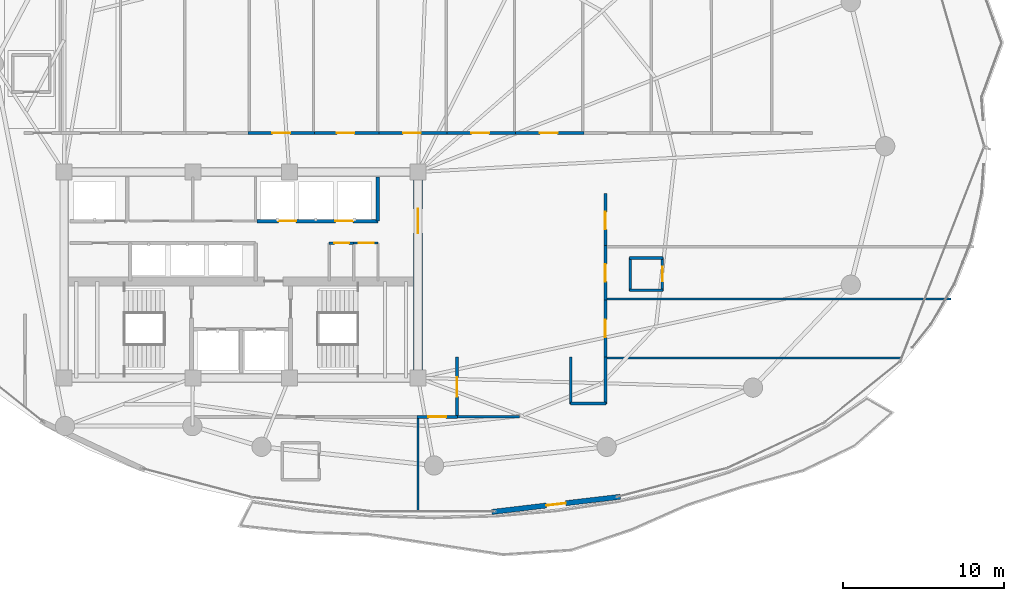
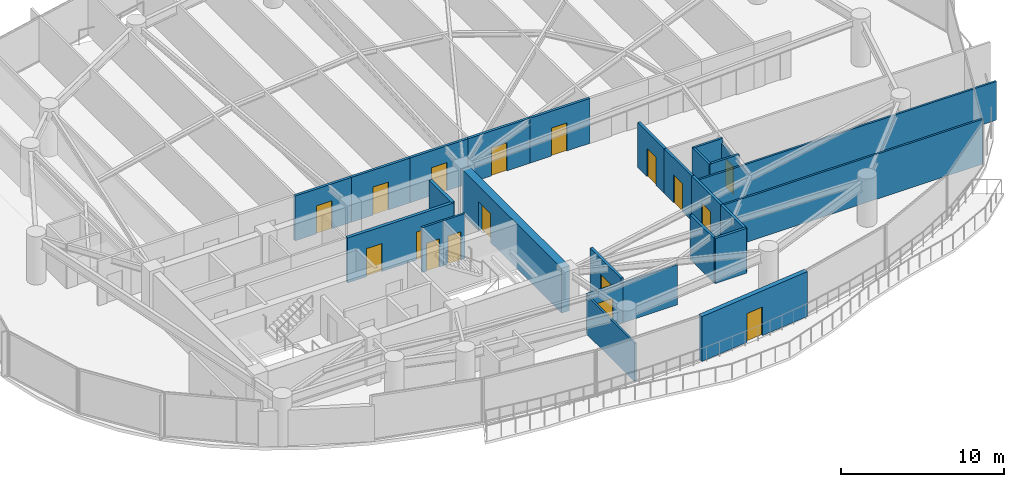
# One storey, part 27 of 34: 27 walls, 17 doors, 17 openings.
"""IFC4 building model written with IfcOpenShell, lengths in metres."""

from ifc_helpers import new_model, si_unit, direction, frame, frame_2d, origin, place, context, subcontext, project, spatial, rectangle, extrude, material, layer, layer_set, type_object, element, fill, save


model = new_model("IFC4")

# Units and contexts
model_context = context("Model", 3, precision=1e-05, world=origin(), true_north=direction((0.0, 1.0)))
body_context = subcontext(model_context, "Body", "Model", "MODEL_VIEW")
ifc_project = project(units=[si_unit("LENGTHUNIT", "METRE"), si_unit("AREAUNIT", "SQUARE_METRE"), si_unit("VOLUMEUNIT", "CUBIC_METRE"), si_unit("PLANEANGLEUNIT", "RADIAN"), si_unit("MASSUNIT", "GRAM", prefix="KILO")], contexts=[model_context])

# Site, building, storey
site_placement = place(None, origin())
site = spatial("IfcSite", under=ifc_project, at=site_placement, CompositionType="ELEMENT")
building_placement = place(site_placement, origin())
building = spatial("IfcBuilding", under=site, at=building_placement, Name="Kazevale Care Tower and Concert Hall", CompositionType="ELEMENT")
storey_placement = place(building_placement, frame((0.0, 0.0, 163.800048828125)))
storey = spatial("IfcBuildingStorey", under=building, at=storey_placement, Name="L43", CompositionType="ELEMENT", Elevation=163.800048828125)

# Wall, opening, door
ifc_material_1 = material(Name="Acoustic Gypsum on Steel Stud", Category="steel")
ifc_layer_1 = layer(ifc_material_1, 0.139892578125)
ifc_layer_set_1 = layer_set([ifc_layer_1], Name="Acoustic Gypsum on Steel Stud")
wall_type_1 = type_object("IfcWallType", Name="Acoustic Care & Suite Partition 140", PredefinedType="PARTITIONING", material=ifc_layer_set_1)
wall_1_placement = place(storey_placement, frame((40.0, 31.97998046875, 0.0), z_axis=(0.0, 0.0, 1.0), x_axis=(1.0, 0.0, 0.0)))
wall_1 = element("IfcWall", 1, at=wall_1_placement, inside=storey, type_object=wall_type_1, Name="wall:L43:ka_en2", PredefinedType="PARTITIONING", context=body_context, shape_type="SweptSolid", body=[
    extrude(rectangle(XDim=1.52001953125, YDim=0.139892578125, at=frame_2d((0.760009765625, 0.0))), origin(), (0.0, 0.0, 1.0), 3.35986328125),
])
opening_1_placement = place(wall_1_placement, frame((0.320068359375, 0.0, 0.0)))
opening_1 = element("IfcOpeningElement", 2, at=opening_1_placement, cuts=wall_1, Name="Opening ID-900", PredefinedType="OPENING", context=body_context, shape_type="SweptSolid", body=[
    extrude(rectangle(XDim=0.919921875, YDim=2.10009765625, at=frame_2d((0.4599609375, 1.050048828125))), frame((0.0, 0.079833984375, 0.0), z_axis=(0.0, -1.0, 0.0), x_axis=(1.0, 0.0, 0.0)), (0.0, 0.0, 1.0), 0.159912109375),
])
ifc_material_2 = material(Name="Oak Timber Fire Leaf", Category="wood")
door_type_1 = type_object("IfcDoorType", Name="Bathroom & Service Door 920x2100", OperationType="NOTDEFINED", PredefinedType="DOOR", material=ifc_material_2)
door_1_placement = place(opening_1_placement, origin())
door_1 = element("IfcDoor", 3, at=door_1_placement, inside=storey, type_object=door_type_1, Name="door:L43:d_kae2", OperationType="SINGLE_SWING_RIGHT", OverallHeight=2.10009765625, OverallWidth=0.919921875, PredefinedType="DOOR", context=body_context, shape_type="SweptSolid", body=[
    extrude(rectangle(XDim=0.919921875, YDim=2.10009765625, at=frame_2d((0.4599609375, 1.050048828125))), frame((0.0, 0.02490234375, 0.0), z_axis=(0.0, -1.0, 0.0), x_axis=(1.0, 0.0, 0.0)), (0.0, 0.0, 1.0), 0.050048828125),
])
fill(opening_1, door_1)

# Walls
wall_2_placement = place(storey_placement, frame((55.6201171875, 24.840087890625, 0.0), z_axis=(0.0, 0.0, 1.0), x_axis=(1.0, 0.0, 0.0)))
element("IfcWall", 4, at=wall_2_placement, inside=storey, type_object=wall_type_1, Name="wall:L43:auto_036", PredefinedType="PARTITIONING", context=body_context, shape_type="SweptSolid", body=[
    extrude(rectangle(XDim=18.44482421875, YDim=0.139892578125, at=frame_2d((9.222412109375, 0.0))), origin(), (0.0, 0.0, 1.0), 3.35986328125),
])
wall_3_placement = place(storey_placement, frame((50.31494140625, 21.175048828125, 0.0), z_axis=(0.0, 0.0, 1.0), x_axis=(-1.0, 0.0, 0.0)))
element("IfcWall", 5, at=wall_3_placement, inside=storey, type_object=wall_type_1, Name="wall:L43:auto_037", PredefinedType="PARTITIONING", context=body_context, shape_type="SweptSolid", body=[
    extrude(rectangle(XDim=3.919921875, YDim=0.139892578125, at=frame_2d((1.9599609375, 0.0))), origin(), (0.0, 0.0, 1.0), 2.995849609375),
])
wall_4_placement = place(storey_placement, frame((55.6201171875, 28.5, 0.0), z_axis=(0.0, 0.0, 1.0), x_axis=(1.0, 0.0, 0.0)))
element("IfcWall", 6, at=wall_4_placement, inside=storey, type_object=wall_type_1, Name="wall:L43:auto_038", PredefinedType="PARTITIONING", context=body_context, shape_type="SweptSolid", body=[
    extrude(rectangle(XDim=21.519775390625, YDim=0.139892578125, at=frame_2d((10.759765625, 0.0))), origin(), (0.0, 0.0, 1.0), 2.889892578125),
])
wall_5_placement = place(storey_placement, frame((44.0, 21.205078125, 0.0), z_axis=(0.0, 0.0, 1.0), x_axis=(0.0, -1.0, 0.0)))
element("IfcWall", 7, at=wall_5_placement, inside=storey, type_object=wall_type_1, Name="wall:L43:auto_040", PredefinedType="PARTITIONING", context=body_context, shape_type="SweptSolid", body=[
    extrude(rectangle(XDim=5.906005859375, YDim=0.139892578125, at=frame_2d((2.953125, 0.0))), origin(), (0.0, 0.0, 1.0), 2.889892578125),
])

# Wall, opening, door
ifc_material_3 = material(Name="Concrete C60", Category="concrete")
ifc_layer_2 = layer(ifc_material_3, 0.550048828125)
ifc_layer_set_2 = layer_set([ifc_layer_2], Name="Concrete C60")
wall_type_2 = type_object("IfcWallType", Name="Core Shear Wall 550 C60", PredefinedType="SHEAR", material=ifc_layer_set_2)
wall_6_placement = place(storey_placement, frame((44.0, 23.875, 0.0), z_axis=(0.0, 0.0, 1.0), x_axis=(0.0, 1.0, 0.0)))
wall_6 = element("IfcWall", 8, at=wall_6_placement, inside=storey, type_object=wall_type_2, Name="wall:L43:core:E", PredefinedType="SHEAR", context=body_context, shape_type="SweptSolid", body=[
    extrude(rectangle(XDim=12.25, YDim=0.550048828125, at=frame_2d((6.125, 0.0))), origin(), (0.0, 0.0, 1.0), 3.35986328125),
])
opening_2_placement = place(wall_6_placement, frame((8.72509765625, 0.0, 0.0)))
opening_2 = element("IfcOpeningElement", 9, at=opening_2_placement, cuts=wall_6, Name="Opening FD-60D", PredefinedType="OPENING", context=body_context, shape_type="SweptSolid", body=[
    extrude(rectangle(XDim=1.5, YDim=2.14990234375, at=frame_2d((0.75, 1.074951171875))), frame((0.0, 0.284912109375, 0.0), z_axis=(0.0, -1.0, 0.0), x_axis=(1.0, 0.0, 0.0)), (0.0, 0.0, 1.0), 0.570068359375),
])
door_type_2 = type_object("IfcDoorType", Name="Double Lobby & Auditorium Fire Door 1500x2150", OperationType="NOTDEFINED", PredefinedType="DOOR", material=ifc_material_2)
door_2_placement = place(opening_2_placement, origin())
door_2 = element("IfcDoor", 10, at=door_2_placement, inside=storey, type_object=door_type_2, Name="door:L43:core_east_out", OperationType="DOUBLE_DOOR_SINGLE_SWING", OverallHeight=2.14990234375, OverallWidth=1.5, PredefinedType="DOOR", context=body_context, shape_type="SweptSolid", body=[
    extrude(rectangle(XDim=1.5, YDim=2.14990234375, at=frame_2d((0.75, 1.074951171875))), frame((0.0, 0.02490234375, 0.0), z_axis=(0.0, -1.0, 0.0), x_axis=(1.0, 0.0, 0.0)), (0.0, 0.0, 1.0), 0.050048828125),
])
fill(opening_2, door_2)

# Wall, openings, doors
ifc_material_4 = material(Name="Concrete C40", Category="concrete")
ifc_layer_3 = layer(ifc_material_4, 0.219970703125)
ifc_layer_set_3 = layer_set([ifc_layer_3], Name="Concrete C40")
wall_type_3 = type_object("IfcWallType", Name="Elevator Hoistway Shaft Wall 220", PredefinedType="SOLIDWALL", material=ifc_layer_set_3)
wall_7_placement = place(storey_placement, frame((33.97998046875, 33.35009765625, 0.0), z_axis=(0.0, 0.0, 1.0), x_axis=(1.0, 0.0, 0.0)))
wall_7 = element("IfcWall", 11, at=wall_7_placement, inside=storey, type_object=wall_type_3, Name="wall:L43:c_pm_s", PredefinedType="SOLIDWALL", context=body_context, shape_type="SweptSolid", body=[
    extrude(rectangle(XDim=7.5400390625, YDim=0.219970703125, at=frame_2d((3.77001953125, 0.0))), origin(), (0.0, 0.0, 1.0), 3.35986328125),
])
opening_3_placement = place(wall_7_placement, frame((1.3349609375, 0.0, 0.0)))
opening_3 = element("IfcOpeningElement", 12, at=opening_3_placement, cuts=wall_7, Name="Opening LD-PAX", PredefinedType="OPENING", context=body_context, shape_type="SweptSolid", body=[
    extrude(rectangle(XDim=1.10009765625, YDim=2.10009765625, at=frame_2d((0.550048828125, 1.050048828125))), frame((0.0, 0.119873046875, 0.0), z_axis=(0.0, -1.0, 0.0), x_axis=(1.0, 0.0, 0.0)), (0.0, 0.0, 1.0), 0.239990234375),
])
opening_4_placement = place(wall_7_placement, frame((4.87890625, 0.0, 0.0)))
opening_4 = element("IfcOpeningElement", 13, at=opening_4_placement, cuts=wall_7, Name="Opening LD-PAX", PredefinedType="OPENING", context=body_context, shape_type="SweptSolid", body=[
    extrude(rectangle(XDim=1.10009765625, YDim=2.10009765625, at=frame_2d((0.550048828125, 1.050048828125))), frame((0.0, 0.119873046875, 0.0), z_axis=(0.0, -1.0, 0.0), x_axis=(1.0, 0.0, 0.0)), (0.0, 0.0, 1.0), 0.239990234375),
])
ifc_material_5 = material(Name="Stainless Steel 316", Category="steel")
door_type_3 = type_object("IfcDoorType", Name="Passenger Lift Sliding Landing Door 1100x2100", OperationType="NOTDEFINED", PredefinedType="DOOR", material=ifc_material_5)
door_3_placement = place(opening_3_placement, origin())
door_3 = element("IfcDoor", 14, at=door_3_placement, inside=storey, type_object=door_type_3, Name="door:L43:ld_pm1", OperationType="SLIDING_TO_LEFT", OverallHeight=2.10009765625, OverallWidth=1.10009765625, PredefinedType="DOOR", context=body_context, shape_type="SweptSolid", body=[
    extrude(rectangle(XDim=1.10009765625, YDim=2.10009765625, at=frame_2d((0.550048828125, 1.050048828125))), frame((0.0, 0.02490234375, 0.0), z_axis=(0.0, -1.0, 0.0), x_axis=(1.0, 0.0, 0.0)), (0.0, 0.0, 1.0), 0.050048828125),
])
fill(opening_3, door_3)
door_4_placement = place(opening_4_placement, origin())
door_4 = element("IfcDoor", 15, at=door_4_placement, inside=storey, type_object=door_type_3, Name="door:L43:ld_pm2", OperationType="SLIDING_TO_RIGHT", OverallHeight=2.10009765625, OverallWidth=1.10009765625, PredefinedType="DOOR", context=body_context, shape_type="SweptSolid", body=[
    extrude(rectangle(XDim=1.10009765625, YDim=2.10009765625, at=frame_2d((0.550048828125, 1.050048828125))), frame((0.0, 0.02490234375, 0.0), z_axis=(0.0, -1.0, 0.0), x_axis=(1.0, 0.0, 0.0)), (0.0, 0.0, 1.0), 0.050048828125),
])
fill(opening_4, door_4)

# Wall
wall_8_placement = place(storey_placement, frame((41.5, 33.35009765625, 0.0), z_axis=(0.0, 0.0, 1.0), x_axis=(0.0, 1.0, 0.0)))
element("IfcWall", 16, at=wall_8_placement, inside=storey, type_object=wall_type_3, Name="wall:L43:c_pm_e", PredefinedType="SOLIDWALL", context=body_context, shape_type="SweptSolid", body=[
    extrude(rectangle(XDim=2.75, YDim=0.219970703125, at=frame_2d((1.375, 0.0))), origin(), (0.0, 0.0, 1.0), 3.35986328125),
])

# Wall, opening, door
ifc_material_6 = material(Name="Concrete C40 and Acoustic Gypsum", Category="concrete")
ifc_layer_4 = layer(ifc_material_6, 0.179931640625)
ifc_layer_set_4 = layer_set([ifc_layer_4], Name="Concrete C40 and Acoustic Gypsum")
wall_type_4 = type_object("IfcWallType", Name="Fire-Rated Corridor & Party Wall 180", PredefinedType="PARTITIONING", material=ifc_layer_set_4)
wall_9_placement = place(storey_placement, frame((33.43505859375, 38.824951171875, 0.0), z_axis=(0.0, 0.0, 1.0), x_axis=(1.0, 0.0, 0.0)))
wall_9 = element("IfcWall", 17, at=wall_9_placement, inside=storey, type_object=wall_type_4, Name="wall:L43:auto_005", PredefinedType="PARTITIONING", context=body_context, shape_type="SweptSolid", body=[
    extrude(rectangle(XDim=4.1298828125, YDim=0.179931640625, at=frame_2d((2.06494140625, 0.0))), origin(), (0.0, 0.0, 1.0), 3.35986328125),
])
opening_5_placement = place(wall_9_placement, frame((1.514892578125, 0.0, 0.0)))
opening_5 = element("IfcOpeningElement", 18, at=opening_5_placement, cuts=wall_9, Name="Opening ID-1100", PredefinedType="OPENING", context=body_context, shape_type="SweptSolid", body=[
    extrude(rectangle(XDim=1.10009765625, YDim=2.10009765625, at=frame_2d((0.550048828125, 1.050048828125))), frame((0.0, 0.099853515625, 0.0), z_axis=(0.0, -1.0, 0.0), x_axis=(1.0, 0.0, 0.0)), (0.0, 0.0, 1.0), 0.199951171875),
])
door_type_4 = type_object("IfcDoorType", Name="Care Bedroom Accessible Door 1100x2100", OperationType="NOTDEFINED", PredefinedType="DOOR", material=ifc_material_2)
door_5_placement = place(opening_5_placement, origin())
door_5 = element("IfcDoor", 19, at=door_5_placement, inside=storey, type_object=door_type_4, Name="door:L43:ad_005", OperationType="SINGLE_SWING_LEFT", OverallHeight=2.10009765625, OverallWidth=1.10009765625, PredefinedType="DOOR", context=body_context, shape_type="SweptSolid", body=[
    extrude(rectangle(XDim=1.10009765625, YDim=2.10009765625, at=frame_2d((0.550048828125, 1.050048828125))), frame((0.0, 0.02490234375, 0.0), z_axis=(0.0, -1.0, 0.0), x_axis=(1.0, 0.0, 0.0)), (0.0, 0.0, 1.0), 0.050048828125),
])
fill(opening_5, door_5)

wall_10_placement = place(storey_placement, frame((37.43505859375, 38.824951171875, 0.0), z_axis=(0.0, 0.0, 1.0), x_axis=(1.0, 0.0, 0.0)))
wall_10 = element("IfcWall", 20, at=wall_10_placement, inside=storey, type_object=wall_type_4, Name="wall:L43:auto_006", PredefinedType="PARTITIONING", context=body_context, shape_type="SweptSolid", body=[
    extrude(rectangle(XDim=4.1298828125, YDim=0.179931640625, at=frame_2d((2.06494140625, 0.0))), origin(), (0.0, 0.0, 1.0), 3.35986328125),
])
opening_6_placement = place(wall_10_placement, frame((1.514892578125, 0.0, 0.0)))
opening_6 = element("IfcOpeningElement", 21, at=opening_6_placement, cuts=wall_10, Name="Opening ID-1100", PredefinedType="OPENING", context=body_context, shape_type="SweptSolid", body=[
    extrude(rectangle(XDim=1.10009765625, YDim=2.10009765625, at=frame_2d((0.550048828125, 1.050048828125))), frame((0.0, 0.099853515625, 0.0), z_axis=(0.0, -1.0, 0.0), x_axis=(1.0, 0.0, 0.0)), (0.0, 0.0, 1.0), 0.199951171875),
])
door_6_placement = place(opening_6_placement, origin())
door_6 = element("IfcDoor", 22, at=door_6_placement, inside=storey, type_object=door_type_4, Name="door:L43:ad_006", OperationType="SINGLE_SWING_LEFT", OverallHeight=2.10009765625, OverallWidth=1.10009765625, PredefinedType="DOOR", context=body_context, shape_type="SweptSolid", body=[
    extrude(rectangle(XDim=1.10009765625, YDim=2.10009765625, at=frame_2d((0.550048828125, 1.050048828125))), frame((0.0, 0.02490234375, 0.0), z_axis=(0.0, -1.0, 0.0), x_axis=(1.0, 0.0, 0.0)), (0.0, 0.0, 1.0), 0.050048828125),
])
fill(opening_6, door_6)

wall_11_placement = place(storey_placement, frame((41.43505859375, 38.824951171875, 0.0), z_axis=(0.0, 0.0, 1.0), x_axis=(1.0, 0.0, 0.0)))
wall_11 = element("IfcWall", 23, at=wall_11_placement, inside=storey, type_object=wall_type_4, Name="wall:L43:auto_007", PredefinedType="PARTITIONING", context=body_context, shape_type="SweptSolid", body=[
    extrude(rectangle(XDim=4.3798828125, YDim=0.179931640625, at=frame_2d((2.18994140625, 0.0))), origin(), (0.0, 0.0, 1.0), 3.35986328125),
])
opening_7_placement = place(wall_11_placement, frame((1.639892578125, 0.0, 0.0)))
opening_7 = element("IfcOpeningElement", 24, at=opening_7_placement, cuts=wall_11, Name="Opening ID-1100", PredefinedType="OPENING", context=body_context, shape_type="SweptSolid", body=[
    extrude(rectangle(XDim=1.10009765625, YDim=2.10009765625, at=frame_2d((0.550048828125, 1.050048828125))), frame((0.0, 0.099853515625, 0.0), z_axis=(0.0, -1.0, 0.0), x_axis=(1.0, 0.0, 0.0)), (0.0, 0.0, 1.0), 0.199951171875),
])
door_7_placement = place(opening_7_placement, origin())
door_7 = element("IfcDoor", 25, at=door_7_placement, inside=storey, type_object=door_type_4, Name="door:L43:ad_007", OperationType="SINGLE_SWING_LEFT", OverallHeight=2.10009765625, OverallWidth=1.10009765625, PredefinedType="DOOR", context=body_context, shape_type="SweptSolid", body=[
    extrude(rectangle(XDim=1.10009765625, YDim=2.10009765625, at=frame_2d((0.550048828125, 1.050048828125))), frame((0.0, 0.02490234375, 0.0), z_axis=(0.0, -1.0, 0.0), x_axis=(1.0, 0.0, 0.0)), (0.0, 0.0, 1.0), 0.050048828125),
])
fill(opening_7, door_7)

wall_12_placement = place(storey_placement, frame((45.68505859375, 38.824951171875, 0.0), z_axis=(0.0, 0.0, 1.0), x_axis=(1.0, 0.0, 0.0)))
wall_12 = element("IfcWall", 26, at=wall_12_placement, inside=storey, type_object=wall_type_4, Name="wall:L43:auto_008", PredefinedType="PARTITIONING", context=body_context, shape_type="SweptSolid", body=[
    extrude(rectangle(XDim=4.3798828125, YDim=0.179931640625, at=frame_2d((2.18994140625, 0.0))), origin(), (0.0, 0.0, 1.0), 3.35986328125),
])
opening_8_placement = place(wall_12_placement, frame((1.639892578125, 0.0, 0.0)))
opening_8 = element("IfcOpeningElement", 27, at=opening_8_placement, cuts=wall_12, Name="Opening ID-1100", PredefinedType="OPENING", context=body_context, shape_type="SweptSolid", body=[
    extrude(rectangle(XDim=1.10009765625, YDim=2.10009765625, at=frame_2d((0.550048828125, 1.050048828125))), frame((0.0, 0.099853515625, 0.0), z_axis=(0.0, -1.0, 0.0), x_axis=(1.0, 0.0, 0.0)), (0.0, 0.0, 1.0), 0.199951171875),
])
door_8_placement = place(opening_8_placement, origin())
door_8 = element("IfcDoor", 28, at=door_8_placement, inside=storey, type_object=door_type_4, Name="door:L43:ad_008", OperationType="SINGLE_SWING_LEFT", OverallHeight=2.10009765625, OverallWidth=1.10009765625, PredefinedType="DOOR", context=body_context, shape_type="SweptSolid", body=[
    extrude(rectangle(XDim=1.10009765625, YDim=2.10009765625, at=frame_2d((0.550048828125, 1.050048828125))), frame((0.0, 0.02490234375, 0.0), z_axis=(0.0, -1.0, 0.0), x_axis=(1.0, 0.0, 0.0)), (0.0, 0.0, 1.0), 0.050048828125),
])
fill(opening_8, door_8)

wall_13_placement = place(storey_placement, frame((49.93505859375, 38.824951171875, 0.0), z_axis=(0.0, 0.0, 1.0), x_axis=(1.0, 0.0, 0.0)))
wall_13 = element("IfcWall", 29, at=wall_13_placement, inside=storey, type_object=wall_type_4, Name="wall:L43:auto_009", PredefinedType="PARTITIONING", context=body_context, shape_type="SweptSolid", body=[
    extrude(rectangle(XDim=4.3798828125, YDim=0.179931640625, at=frame_2d((2.18994140625, 0.0))), origin(), (0.0, 0.0, 1.0), 3.35986328125),
])
opening_9_placement = place(wall_13_placement, frame((1.639892578125, 0.0, 0.0)))
opening_9 = element("IfcOpeningElement", 30, at=opening_9_placement, cuts=wall_13, Name="Opening ID-1100", PredefinedType="OPENING", context=body_context, shape_type="SweptSolid", body=[
    extrude(rectangle(XDim=1.10009765625, YDim=2.10009765625, at=frame_2d((0.550048828125, 1.050048828125))), frame((0.0, 0.099853515625, 0.0), z_axis=(0.0, -1.0, 0.0), x_axis=(1.0, 0.0, 0.0)), (0.0, 0.0, 1.0), 0.199951171875),
])
door_9_placement = place(opening_9_placement, origin())
door_9 = element("IfcDoor", 31, at=door_9_placement, inside=storey, type_object=door_type_4, Name="door:L43:ad_009", OperationType="SINGLE_SWING_LEFT", OverallHeight=2.10009765625, OverallWidth=1.10009765625, PredefinedType="DOOR", context=body_context, shape_type="SweptSolid", body=[
    extrude(rectangle(XDim=1.10009765625, YDim=2.10009765625, at=frame_2d((0.550048828125, 1.050048828125))), frame((0.0, 0.02490234375, 0.0), z_axis=(0.0, -1.0, 0.0), x_axis=(1.0, 0.0, 0.0)), (0.0, 0.0, 1.0), 0.050048828125),
])
fill(opening_9, door_9)

wall_14_placement = place(storey_placement, frame((46.425048828125, 24.905029296875, 0.0), z_axis=(0.0, 0.0, 1.0), x_axis=(0.0, -1.0, 0.0)))
wall_14 = element("IfcWall", 32, at=wall_14_placement, inside=storey, type_object=wall_type_4, Name="wall:L43:auto_014", PredefinedType="PARTITIONING", context=body_context, shape_type="SweptSolid", body=[
    extrude(rectangle(XDim=3.760009765625, YDim=0.179931640625, at=frame_2d((1.8798828125, 0.0))), origin(), (0.0, 0.0, 1.0), 3.35986328125),
])
opening_10_placement = place(wall_14_placement, frame((1.280029296875, 0.0, 0.0)))
opening_10 = element("IfcOpeningElement", 33, at=opening_10_placement, cuts=wall_14, Name="Opening ID-1200", PredefinedType="OPENING", context=body_context, shape_type="SweptSolid", body=[
    extrude(rectangle(XDim=1.199951171875, YDim=2.14990234375, at=frame_2d((0.60009765625, 1.074951171875))), frame((0.0, 0.099853515625, 0.0), z_axis=(0.0, -1.0, 0.0), x_axis=(1.0, 0.0, 0.0)), (0.0, 0.0, 1.0), 0.199951171875),
])
door_type_5 = type_object("IfcDoorType", Name="Clinical & Therapy Door 1200x2150", OperationType="NOTDEFINED", PredefinedType="DOOR", material=ifc_material_2)
door_10_placement = place(opening_10_placement, origin())
door_10 = element("IfcDoor", 34, at=door_10_placement, inside=storey, type_object=door_type_5, Name="door:L43:ad_014", OperationType="SINGLE_SWING_LEFT", OverallHeight=2.14990234375, OverallWidth=1.199951171875, PredefinedType="DOOR", context=body_context, shape_type="SweptSolid", body=[
    extrude(rectangle(XDim=1.199951171875, YDim=2.14990234375, at=frame_2d((0.60009765625, 1.074951171875))), frame((0.0, 0.02490234375, 0.0), z_axis=(0.0, -1.0, 0.0), x_axis=(1.0, 0.0, 0.0)), (0.0, 0.0, 1.0), 0.050048828125),
])
fill(opening_10, door_10)

# Walls
for number, where, z_axis, x_axis, name in (
    (35, (55.64990234375, 24.905029296875, 0.0), (0.0, 0.0, 1.0), (0.0, -1.0, 0.0), "wall:L43:auto_015"),
    (36, (53.5, 21.969970703125, 0.0), (0.0, 0.0, 1.0), (0.0, 1.0, 0.0), "wall:L43:auto_016"),
):
    element("IfcWall", number, at=place(storey_placement, frame(where, z_axis=z_axis, x_axis=x_axis)), inside=storey, type_object=wall_type_4, Name=name, PredefinedType="PARTITIONING", context=body_context, shape_type="SweptSolid", body=[
        extrude(rectangle(XDim=2.93505859375, YDim=0.179931640625, at=frame_2d((1.467529296875, 0.0))), origin(), (0.0, 0.0, 1.0), 3.35986328125),
    ])
wall_15_placement = place(storey_placement, frame((55.679931640625, 22.0, 0.0), z_axis=(0.0, 0.0, 1.0), x_axis=(-1.0, 0.0, 0.0)))
element("IfcWall", 37, at=wall_15_placement, inside=storey, type_object=wall_type_4, Name="wall:L43:auto_017", PredefinedType="PARTITIONING", context=body_context, shape_type="SweptSolid", body=[
    extrude(rectangle(XDim=2.2099609375, YDim=0.179931640625, at=frame_2d((1.10498046875, 0.0))), origin(), (0.0, 0.0, 1.0), 3.35986328125),
])

# Wall, opening, door
wall_16_placement = place(storey_placement, frame((55.64990234375, 28.56494140625, 0.0), z_axis=(0.0, 0.0, 1.0), x_axis=(0.0, -1.0, 0.0)))
wall_16 = element("IfcWall", 38, at=wall_16_placement, inside=storey, type_object=wall_type_4, Name="wall:L43:auto_018", PredefinedType="PARTITIONING", context=body_context, shape_type="SweptSolid", body=[
    extrude(rectangle(XDim=3.7900390625, YDim=0.179931640625, at=frame_2d((1.89501953125, 0.0))), origin(), (0.0, 0.0, 1.0), 3.35986328125),
])
opening_11_placement = place(wall_16_placement, frame((1.344970703125, 0.0, 0.0)))
opening_11 = element("IfcOpeningElement", 39, at=opening_11_placement, cuts=wall_16, Name="Opening ID-1100", PredefinedType="OPENING", context=body_context, shape_type="SweptSolid", body=[
    extrude(rectangle(XDim=1.10009765625, YDim=2.10009765625, at=frame_2d((0.550048828125, 1.050048828125))), frame((0.0, 0.099853515625, 0.0), z_axis=(0.0, -1.0, 0.0), x_axis=(1.0, 0.0, 0.0)), (0.0, 0.0, 1.0), 0.199951171875),
])
door_11_placement = place(opening_11_placement, origin())
door_11 = element("IfcDoor", 40, at=door_11_placement, inside=storey, type_object=door_type_4, Name="door:L43:ad_018", OperationType="SINGLE_SWING_LEFT", OverallHeight=2.10009765625, OverallWidth=1.10009765625, PredefinedType="DOOR", context=body_context, shape_type="SweptSolid", body=[
    extrude(rectangle(XDim=1.10009765625, YDim=2.10009765625, at=frame_2d((0.550048828125, 1.050048828125))), frame((0.0, 0.02490234375, 0.0), z_axis=(0.0, -1.0, 0.0), x_axis=(1.0, 0.0, 0.0)), (0.0, 0.0, 1.0), 0.050048828125),
])
fill(opening_11, door_11)

wall_17_placement = place(storey_placement, frame((55.64990234375, 31.81494140625, 0.0), z_axis=(0.0, 0.0, 1.0), x_axis=(0.0, -1.0, 0.0)))
wall_17 = element("IfcWall", 41, at=wall_17_placement, inside=storey, type_object=wall_type_4, Name="wall:L43:auto_019", PredefinedType="PARTITIONING", context=body_context, shape_type="SweptSolid", body=[
    extrude(rectangle(XDim=3.3798828125, YDim=0.179931640625, at=frame_2d((1.68994140625, 0.0))), origin(), (0.0, 0.0, 1.0), 3.35986328125),
])
opening_12_placement = place(wall_17_placement, frame((1.139892578125, 0.0, 0.0)))
opening_12 = element("IfcOpeningElement", 42, at=opening_12_placement, cuts=wall_17, Name="Opening ID-1100", PredefinedType="OPENING", context=body_context, shape_type="SweptSolid", body=[
    extrude(rectangle(XDim=1.10009765625, YDim=2.10009765625, at=frame_2d((0.550048828125, 1.050048828125))), frame((0.0, 0.099853515625, 0.0), z_axis=(0.0, -1.0, 0.0), x_axis=(1.0, 0.0, 0.0)), (0.0, 0.0, 1.0), 0.199951171875),
])
door_12_placement = place(opening_12_placement, origin())
door_12 = element("IfcDoor", 43, at=door_12_placement, inside=storey, type_object=door_type_4, Name="door:L43:ad_019", OperationType="SINGLE_SWING_LEFT", OverallHeight=2.10009765625, OverallWidth=1.10009765625, PredefinedType="DOOR", context=body_context, shape_type="SweptSolid", body=[
    extrude(rectangle(XDim=1.10009765625, YDim=2.10009765625, at=frame_2d((0.550048828125, 1.050048828125))), frame((0.0, 0.02490234375, 0.0), z_axis=(0.0, -1.0, 0.0), x_axis=(1.0, 0.0, 0.0)), (0.0, 0.0, 1.0), 0.050048828125),
])
fill(opening_12, door_12)

wall_18_placement = place(storey_placement, frame((55.64990234375, 35.06494140625, 0.0), z_axis=(0.0, 0.0, 1.0), x_axis=(0.0, -1.0, 0.0)))
wall_18 = element("IfcWall", 44, at=wall_18_placement, inside=storey, type_object=wall_type_4, Name="wall:L43:auto_020", PredefinedType="PARTITIONING", context=body_context, shape_type="SweptSolid", body=[
    extrude(rectangle(XDim=3.3798828125, YDim=0.179931640625, at=frame_2d((1.68994140625, 0.0))), origin(), (0.0, 0.0, 1.0), 3.35986328125),
])
opening_13_placement = place(wall_18_placement, frame((1.139892578125, 0.0, 0.0)))
opening_13 = element("IfcOpeningElement", 45, at=opening_13_placement, cuts=wall_18, Name="Opening ID-1100", PredefinedType="OPENING", context=body_context, shape_type="SweptSolid", body=[
    extrude(rectangle(XDim=1.10009765625, YDim=2.10009765625, at=frame_2d((0.550048828125, 1.050048828125))), frame((0.0, 0.099853515625, 0.0), z_axis=(0.0, -1.0, 0.0), x_axis=(1.0, 0.0, 0.0)), (0.0, 0.0, 1.0), 0.199951171875),
])
door_13_placement = place(opening_13_placement, origin())
door_13 = element("IfcDoor", 46, at=door_13_placement, inside=storey, type_object=door_type_4, Name="door:L43:ad_020", OperationType="SINGLE_SWING_LEFT", OverallHeight=2.10009765625, OverallWidth=1.10009765625, PredefinedType="DOOR", context=body_context, shape_type="SweptSolid", body=[
    extrude(rectangle(XDim=1.10009765625, YDim=2.10009765625, at=frame_2d((0.550048828125, 1.050048828125))), frame((0.0, 0.02490234375, 0.0), z_axis=(0.0, -1.0, 0.0), x_axis=(1.0, 0.0, 0.0)), (0.0, 0.0, 1.0), 0.050048828125),
])
fill(opening_13, door_13)

wall_19_placement = place(storey_placement, frame((46.455078125, 21.175048828125, 0.0), z_axis=(0.0, 0.0, 1.0), x_axis=(-1.0, 0.0, 0.0)))
wall_19 = element("IfcWall", 47, at=wall_19_placement, inside=storey, type_object=wall_type_4, Name="wall:L43:auto_022", PredefinedType="PARTITIONING", context=body_context, shape_type="SweptSolid", body=[
    extrude(rectangle(XDim=2.52001953125, YDim=0.179931640625, at=frame_2d((1.260009765625, 0.0))), origin(), (0.0, 0.0, 1.0), 2.995849609375),
])
opening_14_placement = place(wall_19_placement, frame((0.7099609375, 0.0, 0.0)))
opening_14 = element("IfcOpeningElement", 48, at=opening_14_placement, cuts=wall_19, Name="Opening ID-1100", PredefinedType="OPENING", context=body_context, shape_type="SweptSolid", body=[
    extrude(rectangle(XDim=1.10009765625, YDim=2.10009765625, at=frame_2d((0.550048828125, 1.050048828125))), frame((0.0, 0.099853515625, 0.0), z_axis=(0.0, -1.0, 0.0), x_axis=(1.0, 0.0, 0.0)), (0.0, 0.0, 1.0), 0.199951171875),
])
door_14_placement = place(opening_14_placement, origin())
door_14 = element("IfcDoor", 49, at=door_14_placement, inside=storey, type_object=door_type_4, Name="door:L43:ad_022", OperationType="SINGLE_SWING_LEFT", OverallHeight=2.10009765625, OverallWidth=1.10009765625, PredefinedType="DOOR", context=body_context, shape_type="SweptSolid", body=[
    extrude(rectangle(XDim=1.10009765625, YDim=2.10009765625, at=frame_2d((0.550048828125, 1.050048828125))), frame((0.0, 0.02490234375, 0.0), z_axis=(0.0, -1.0, 0.0), x_axis=(1.0, 0.0, 0.0)), (0.0, 0.0, 1.0), 0.050048828125),
])
fill(opening_14, door_14)

ifc_layer_5 = layer(ifc_material_1, 0.159912109375)
ifc_layer_set_5 = layer_set([ifc_layer_5], Name="Acoustic Gypsum on Steel Stud")
wall_type_5 = type_object("IfcWallType", Name="Moisture-Resistant Bathroom Plumbing Wall 160", PredefinedType="PLUMBINGWALL", material=ifc_layer_set_5)
wall_20_placement = place(storey_placement, frame((38.47998046875, 31.97998046875, 0.0), z_axis=(0.0, 0.0, 1.0), x_axis=(1.0, 0.0, 0.0)))
wall_20 = element("IfcWall", 50, at=wall_20_placement, inside=storey, type_object=wall_type_5, Name="wall:L43:ka_en1", PredefinedType="PLUMBINGWALL", context=body_context, shape_type="SweptSolid", body=[
    extrude(rectangle(XDim=1.52001953125, YDim=0.159912109375, at=frame_2d((0.760009765625, 0.0))), origin(), (0.0, 0.0, 1.0), 3.35986328125),
])
opening_15_placement = place(wall_20_placement, frame((0.320068359375, 0.0, 0.0)))
opening_15 = element("IfcOpeningElement", 51, at=opening_15_placement, cuts=wall_20, Name="Opening ID-900", PredefinedType="OPENING", context=body_context, shape_type="SweptSolid", body=[
    extrude(rectangle(XDim=0.919921875, YDim=2.10009765625, at=frame_2d((0.4599609375, 1.050048828125))), frame((0.0, 0.08984375, 0.0), z_axis=(0.0, -1.0, 0.0), x_axis=(1.0, 0.0, 0.0)), (0.0, 0.0, 1.0), 0.179931640625),
])
door_15_placement = place(opening_15_placement, origin())
door_15 = element("IfcDoor", 52, at=door_15_placement, inside=storey, type_object=door_type_1, Name="door:L43:d_kae1", OperationType="SINGLE_SWING_LEFT", OverallHeight=2.10009765625, OverallWidth=0.919921875, PredefinedType="DOOR", context=body_context, shape_type="SweptSolid", body=[
    extrude(rectangle(XDim=0.919921875, YDim=2.10009765625, at=frame_2d((0.4599609375, 1.050048828125))), frame((0.0, 0.02490234375, 0.0), z_axis=(0.0, -1.0, 0.0), x_axis=(1.0, 0.0, 0.0)), (0.0, 0.0, 1.0), 0.050048828125),
])
fill(opening_15, door_15)

# Walls
for number, where, z_axis, x_axis, name in (
    (53, (57.159912109375, 29.050048828125, 0.0), (0.0, 0.0, 1.0), (1.0, 0.0, 0.0), "wall:L43:eb2a_ens_ws"),
    (54, (57.159912109375, 31.050048828125, 0.0), (0.0, 0.0, 1.0), (1.0, 0.0, 0.0), "wall:L43:eb2a_ens_wn"),
    (55, (57.199951171875, 29.010009765625, 0.0), (0.0, 0.0, 1.0), (0.0, 1.0, 0.0), "wall:L43:eb2a_ens_ww"),
):
    element("IfcWall", number, at=place(storey_placement, frame(where, z_axis=z_axis, x_axis=x_axis)), inside=storey, type_object=wall_type_5, Name=name, PredefinedType="PLUMBINGWALL", context=body_context, shape_type="SweptSolid", body=[
        extrude(rectangle(XDim=2.080078125, YDim=0.159912109375, at=frame_2d((1.0400390625, 0.0))), origin(), (0.0, 0.0, 1.0), 3.35986328125),
    ])

# Wall, opening, door
wall_21_placement = place(storey_placement, frame((59.199951171875, 29.010009765625, 0.0), z_axis=(0.0, 0.0, 1.0), x_axis=(0.0, 1.0, 0.0)))
wall_21 = element("IfcWall", 56, at=wall_21_placement, inside=storey, type_object=wall_type_5, Name="wall:L43:eb2a_ens_we", PredefinedType="PLUMBINGWALL", context=body_context, shape_type="SweptSolid", body=[
    extrude(rectangle(XDim=2.080078125, YDim=0.159912109375, at=frame_2d((1.0400390625, 0.0))), origin(), (0.0, 0.0, 1.0), 2.995849609375),
])
opening_16_placement = place(wall_21_placement, frame((0.590087890625, 0.0, 0.0)))
opening_16 = element("IfcOpeningElement", 57, at=opening_16_placement, cuts=wall_21, Name="Opening ID-900", PredefinedType="OPENING", context=body_context, shape_type="SweptSolid", body=[
    extrude(rectangle(XDim=0.919921875, YDim=2.10009765625, at=frame_2d((0.4599609375, 1.050048828125))), frame((0.0, 0.08984375, 0.0), z_axis=(0.0, -1.0, 0.0), x_axis=(1.0, 0.0, 0.0)), (0.0, 0.0, 1.0), 0.179931640625),
])
door_16_placement = place(opening_16_placement, origin())
door_16 = element("IfcDoor", 58, at=door_16_placement, inside=storey, type_object=door_type_1, Name="door:L43:eb2a_ens_d", OperationType="SINGLE_SWING_LEFT", OverallHeight=2.10009765625, OverallWidth=0.919921875, PredefinedType="DOOR", context=body_context, shape_type="SweptSolid", body=[
    extrude(rectangle(XDim=0.919921875, YDim=2.10009765625, at=frame_2d((0.4599609375, 1.050048828125))), frame((0.0, 0.02490234375, 0.0), z_axis=(0.0, -1.0, 0.0), x_axis=(1.0, 0.0, 0.0)), (0.0, 0.0, 1.0), 0.050048828125),
])
fill(opening_16, door_16)

ifc_material_7 = material(Name="Concrete C40 with Honed Limestone Cladding", Category="masonry")
ifc_layer_6 = layer(ifc_material_7, 0.320068359375)
ifc_layer_set_6 = layer_set([ifc_layer_6], Name="Concrete C40 with Honed Limestone Cladding")
wall_type_6 = type_object("IfcWallType", Name="Tower Honed Limestone Spandrel Wall 320", PredefinedType="STANDARD", material=ifc_layer_set_6)
wall_22_placement = place(storey_placement, frame((56.5869140625, 16.205078125, 0.0), z_axis=(0.0, 0.0, 1.0), x_axis=(-0.993072847957, -0.117500292131, 0.0)))
wall_22 = element("IfcWall", 59, at=wall_22_placement, inside=storey, type_object=wall_type_6, Name="wall:L43:bal_host", PredefinedType="STANDARD", context=body_context, shape_type="SweptSolid", body=[
    extrude(rectangle(XDim=8.059814453125, YDim=0.320068359375, at=frame_2d((4.02978515625, 0.0))), origin(), (0.0, 0.0, 1.0), 3.35986328125),
])
opening_17_placement = place(wall_22_placement, frame((3.429931640625, 0.0, 0.0)))
opening_17 = element("IfcOpeningElement", 60, at=opening_17_placement, cuts=wall_22, Name="Opening BD-1200", PredefinedType="OPENING", context=body_context, shape_type="SweptSolid", body=[
    extrude(rectangle(XDim=1.199951171875, YDim=2.14990234375, at=frame_2d((0.60009765625, 1.074951171875))), frame((0.0, 0.169921875, 0.0), z_axis=(0.0, -1.0, 0.0), x_axis=(1.0, 0.0, 0.0)), (0.0, 0.0, 1.0), 0.340087890625),
])
ifc_material_8 = material(Name="Aluminium 6063-T6 and Low-E Glass", Category="aluminium")
door_type_6 = type_object("IfcDoorType", Name="Sheltered Balcony Glazed Door 1200x2150", OperationType="NOTDEFINED", PredefinedType="DOOR", material=ifc_material_8)
door_17_placement = place(opening_17_placement, origin())
door_17 = element("IfcDoor", 61, at=door_17_placement, inside=storey, type_object=door_type_6, Name="door:L43:BD-1", OperationType="SINGLE_SWING_LEFT", OverallHeight=2.14990234375, OverallWidth=1.199951171875, PredefinedType="DOOR", context=body_context, shape_type="SweptSolid", body=[
    extrude(rectangle(XDim=1.199951171875, YDim=2.14990234375, at=frame_2d((0.60009765625, 1.074951171875))), frame((0.0, 0.02490234375, 0.0), z_axis=(0.0, -1.0, 0.0), x_axis=(1.0, 0.0, 0.0)), (0.0, 0.0, 1.0), 0.050048828125),
])
fill(opening_17, door_17)

save(model, "model.ifc")
